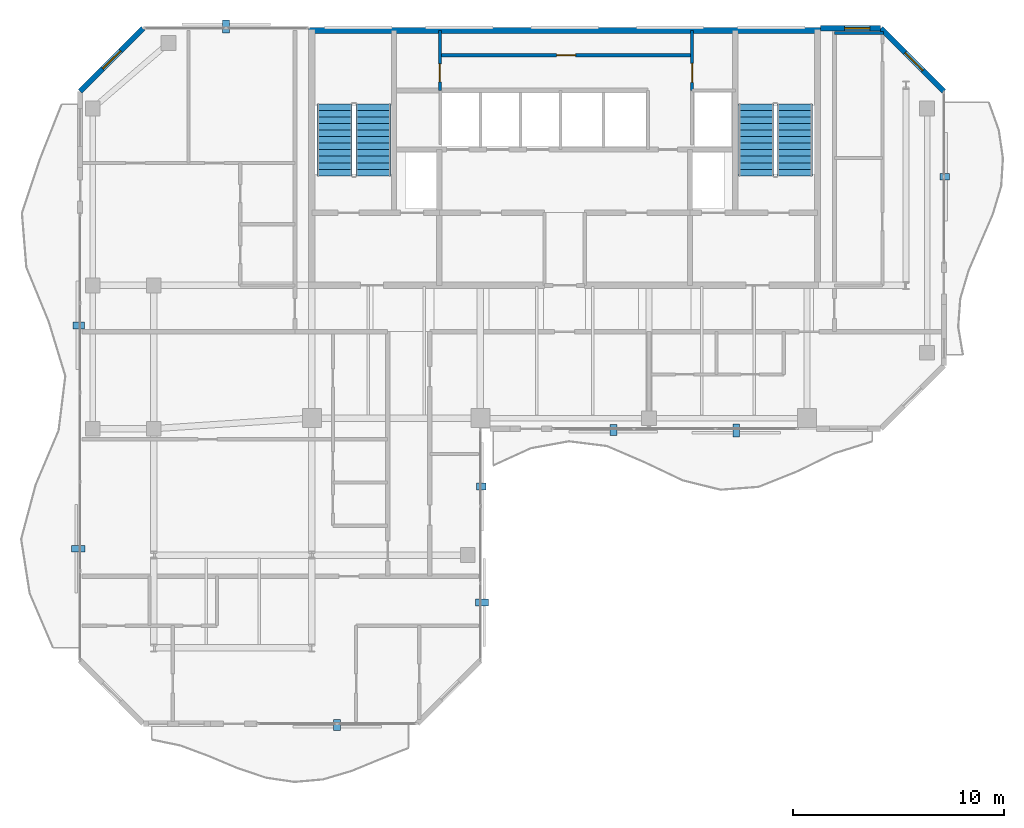
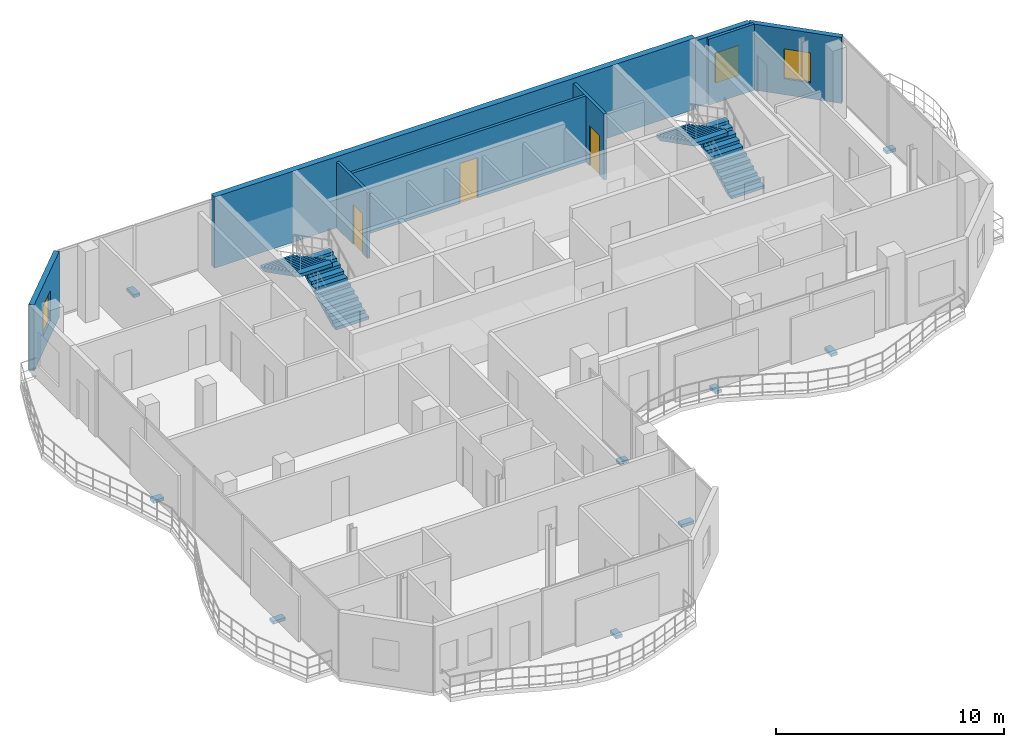
# One storey, part 20 of 22: 9 discrete accessories, 8 walls, 4 stair flights, 3 doors, 3 windows, 6 openings, 2 elements without a shape of their own.
"""IFC4 building model written with IfcOpenShell, lengths in metres."""

import ifcopenshell
import ifcopenshell.guid

model = None  # the IFC model being written
_history = None  # IfcOwnerHistory: only IFC2X3 demands one
_inside = {}  # id of a spatial element -> (the spatial element, [elements in it])
_under = {}  # id of a project, library or spatial element -> (it, [spatial elements below it])
_declared = {}  # id of a project -> (the project, [libraries it declares])
_typed = {}  # id of a type object -> (the type object, [elements of that type])
_made_of = {}  # id of a material, layer set ... -> (it, [elements and type objects made of it])


def new_model(schema):
    """Start an empty IFC model of exactly this schema.

    Asked for "IFC4X3", IfcOpenShell would pick the latest addendum, in which some entities
    have other attributes; the version numbers below select the first issue.
    IFC2X3 requires an IfcOwnerHistory on every rooted entity: one is made here for all.
    """
    global model, _history
    if schema == "IFC4X3":
        model = ifcopenshell.file(schema_version=(4, 3, 0, 0))
    else:
        model = ifcopenshell.file(schema=schema)
    _inside.clear()
    _under.clear()
    _declared.clear()
    _typed.clear()
    _made_of.clear()
    _history = None
    if model.schema == "IFC2X3":
        org = make("IfcOrganization", Name="unknown")
        user = make(
            "IfcPersonAndOrganization",
            ThePerson=make("IfcPerson", FamilyName="unknown"),
            TheOrganization=org,
        )
        app = make(
            "IfcApplication",
            ApplicationDeveloper=org,
            Version="unknown",
            ApplicationFullName="unknown",
            ApplicationIdentifier="unknown",
        )
        _history = make(
            "IfcOwnerHistory",
            OwningUser=user,
            OwningApplication=app,
            ChangeAction="ADDED",
            CreationDate=0,
        )
    return model


def make(cls, **values):
    """One entity of the class cls with the attributes given. An attribute that is None is left unset."""
    return model.create_entity(
        cls, **{name: value for name, value in values.items() if value is not None}
    )


def rooted(cls, **values):
    """An entity with a GlobalId (a new one), such as an element, a storey or a relation."""
    return make(cls, GlobalId=ifcopenshell.guid.new(), OwnerHistory=_history, **values)


def si_unit(unit_type, name, prefix=None):
    """IfcSIUnit, for example si_unit("LENGTHUNIT", "METRE", prefix="MILLI")."""
    return make("IfcSIUnit", UnitType=unit_type, Prefix=prefix, Name=name)


def assignment(units):
    """IfcUnitAssignment: the units of a project."""
    return None if units is None else make("IfcUnitAssignment", Units=units)


def point(xyz):
    """IfcCartesianPoint."""
    return None if xyz is None else make("IfcCartesianPoint", Coordinates=xyz)


def direction(xyz):
    """IfcDirection."""
    return None if xyz is None else make("IfcDirection", DirectionRatios=xyz)


def frame(location, z_axis=None, x_axis=None):
    """IfcAxis2Placement3D, a coordinate frame: its origin and axes. An axis left out is left unset."""
    return make(
        "IfcAxis2Placement3D",
        Location=point(location),
        Axis=direction(z_axis),
        RefDirection=direction(x_axis),
    )


def frame_2d(location, x_axis=None):
    """IfcAxis2Placement2D, a coordinate frame in the plane: its origin and x axis."""
    return make(
        "IfcAxis2Placement2D", Location=point(location), RefDirection=direction(x_axis)
    )


def origin():
    """The frame at (0, 0, 0) with its axes left unset."""
    return frame((0.0, 0.0, 0.0))


def origin_2d():
    """The frame at (0, 0) in the plane with its x axis left unset."""
    return frame_2d((0.0, 0.0))


def place(relative_to, where):
    """IfcLocalPlacement: puts the frame where relative to a parent placement (None: the world)."""
    return make(
        "IfcLocalPlacement", PlacementRelTo=relative_to, RelativePlacement=where
    )


def context(
    kind, dimensions, precision=None, world=None, true_north=None, identifier=None
):
    """IfcGeometricRepresentationContext, for example the 3D "Model" context."""
    return make(
        "IfcGeometricRepresentationContext",
        ContextIdentifier=identifier,
        ContextType=kind,
        CoordinateSpaceDimension=dimensions,
        Precision=precision,
        WorldCoordinateSystem=world,
        TrueNorth=true_north,
    )


def subcontext(parent, identifier, kind, view, scale=None):
    """IfcGeometricRepresentationSubContext, for example "Body" below "Model"."""
    return make(
        "IfcGeometricRepresentationSubContext",
        ContextIdentifier=identifier,
        ContextType=kind,
        ParentContext=parent,
        TargetScale=scale,
        TargetView=view,
    )


def project(units=None, contexts=None):
    """IfcProject with its units and contexts."""
    return rooted(
        "IfcProject",
        Name="project",
        RepresentationContexts=contexts,
        UnitsInContext=assignment(units),
    )


def spatial(cls, under=None, at=None, **own):
    """A site, building, storey or space (cls), placed at a placement, below another one or the project."""
    s = rooted(cls, ObjectPlacement=at, **own)
    if under is not None:
        _under.setdefault(under.id(), (under, []))[1].append(s)
    return s


def polyline(points):
    """IfcPolyline through the points."""
    return make("IfcPolyline", Points=[point(p) for p in points])


def profile(cls, at=None, kind="AREA", **sizes):
    """A parametric profile (cls). Its sizes go by their IFC names, for example OverallWidth=200.0."""
    return make(cls, ProfileType=kind, Position=at, **sizes)


def rectangle(**sizes):
    """IfcRectangleProfileDef."""
    return profile("IfcRectangleProfileDef", **sizes)


def outline(outer, holes=None, kind="AREA"):
    """IfcArbitraryClosedProfileDef: a profile drawn as a closed curve; with holes, ...WithVoids."""
    if holes is None:
        return make("IfcArbitraryClosedProfileDef", ProfileType=kind, OuterCurve=outer)
    return make(
        "IfcArbitraryProfileDefWithVoids",
        ProfileType=kind,
        OuterCurve=outer,
        InnerCurves=holes,
    )


def extrude(swept, where, along, depth):
    """IfcExtrudedAreaSolid: the profile swept, set in the frame where, extruded along a direction by depth."""
    return make(
        "IfcExtrudedAreaSolid",
        SweptArea=swept,
        Position=where,
        ExtrudedDirection=direction(along),
        Depth=depth,
    )


def shape(context_of_items, identifier, shape_type, items):
    """IfcShapeRepresentation: the items that make up one representation, for example the "Body"."""
    return make(
        "IfcShapeRepresentation",
        ContextOfItems=context_of_items,
        RepresentationIdentifier=identifier,
        RepresentationType=shape_type,
        Items=items,
    )


def material(Name=None, Category=None):
    """IfcMaterial."""
    return make("IfcMaterial", Name=Name, Category=Category)


def layer(
    of_material, thickness, ventilated=None, Name=None, Category=None, Priority=None
):
    """IfcMaterialLayer: one layer of a wall or slab, of a material (None: an air gap)."""
    return make(
        "IfcMaterialLayer",
        Material=of_material,
        LayerThickness=thickness,
        IsVentilated=ventilated,
        Name=Name,
        Category=Category,
        Priority=Priority,
    )


def layer_set(layers, Name=None):
    """IfcMaterialLayerSet."""
    return make("IfcMaterialLayerSet", MaterialLayers=layers, LayerSetName=Name)


def made_of(thing, what):
    """Note that an element or type object is made of a material, layer set ...; save() writes the relation."""
    if what is not None:
        _made_of.setdefault(what.id(), (what, []))[1].append(thing)
    return thing


def type_object(cls, material=None, **own):
    """A type object (cls), such as IfcWallType, which elements share."""
    return made_of(rooted(cls, **own), material)


def element(
    cls,
    number,
    at=None,
    inside=None,
    cuts=None,
    type_object=None,
    material=None,
    context=None,
    identifier="Body",
    shape_type=None,
    held_by="IfcProductDefinitionShape",
    body=None,
    shapes=None,
    **own,
):
    """One element of the class cls, such as IfcWall. Its Tag is "e" and its number.

    at: its placement. inside: the storey or other place that contains it. cuts: it is an
    opening in that element (IfcRelVoidsElement). A single representation is given by context,
    identifier, shape_type and body (its items); several are given by shapes. held_by: the class
    of the entity that holds the representations. save() writes the other relations.
    """
    e = rooted(cls, Tag="e%d" % number, ObjectPlacement=at, **own)
    if body is not None:
        shapes = [shape(context, identifier, shape_type, body)]
    if shapes is not None:
        e.Representation = make(held_by, Representations=shapes)
    if inside is not None:
        _inside.setdefault(inside.id(), (inside, []))[1].append(e)
    if cuts is not None:
        rooted(
            "IfcRelVoidsElement", RelatingBuildingElement=cuts, RelatedOpeningElement=e
        )
    if type_object is not None:
        _typed.setdefault(type_object.id(), (type_object, []))[1].append(e)
    return made_of(e, material)


def fill(opening, filler):
    """IfcRelFillsElement: the door or window that sits in an opening."""
    return rooted(
        "IfcRelFillsElement",
        RelatingOpeningElement=opening,
        RelatedBuildingElement=filler,
    )


def aggregate(whole, parts):
    """IfcRelAggregates: a whole, such as a stair, and the parts it consists of."""
    return rooted("IfcRelAggregates", RelatingObject=whole, RelatedObjects=parts)


def save(model, path):
    """Write the relations noted so far, then the file.

    IfcRelAggregates (storeys below a building ...), IfcRelContainedInSpatialStructure (elements
    in a storey), IfcRelDefinesByType, IfcRelAssociatesMaterial and IfcRelDeclares: one each for
    every whole, place, type object, material and project.
    """
    for whole, parts in _under.values():
        aggregate(whole, parts)
    for where, things in _inside.values():
        rooted(
            "IfcRelContainedInSpatialStructure",
            RelatedElements=things,
            RelatingStructure=where,
        )
    for kind, things in _typed.values():
        rooted("IfcRelDefinesByType", RelatedObjects=things, RelatingType=kind)
    for what, things in _made_of.values():
        rooted("IfcRelAssociatesMaterial", RelatedObjects=things, RelatingMaterial=what)
    for by, libraries in _declared.values():
        rooted("IfcRelDeclares", RelatingContext=by, RelatedDefinitions=libraries)
    model.write(path)


model = new_model("IFC4")

# Units and contexts
model_context = context("Model", 3, precision=1e-05, world=origin(), true_north=direction((0.0, 1.0)))
body_context = subcontext(model_context, "Body", "Model", "MODEL_VIEW")
ifc_project = project(units=[si_unit("LENGTHUNIT", "METRE"), si_unit("AREAUNIT", "SQUARE_METRE"), si_unit("VOLUMEUNIT", "CUBIC_METRE"), si_unit("PLANEANGLEUNIT", "RADIAN"), si_unit("MASSUNIT", "GRAM", prefix="KILO")], contexts=[model_context])

# Site, building, storey
site_placement = place(None, origin())
site = spatial("IfcSite", under=ifc_project, at=site_placement, CompositionType="ELEMENT")
building_placement = place(site_placement, origin())
building = spatial("IfcBuilding", under=site, at=building_placement, Name="Catumbela Crestline Tower", CompositionType="ELEMENT")
storey_placement = place(building_placement, frame((0.0, 0.0, 256.4)))
storey = spatial("IfcBuildingStorey", under=building, at=storey_placement, Name="L66", CompositionType="ELEMENT", Elevation=256.4)

# Wall
ifc_material_1 = material(Name="Concrete C45/55", Category="concrete")
ifc_layer_1 = layer(ifc_material_1, 0.3, Name="Concrete C45/55")
ifc_layer_set_1 = layer_set([ifc_layer_1], Name="Concrete C45/55")
wall_type_1 = type_object("IfcWallType", Name="CW-300E", PredefinedType="SHEAR", material=ifc_layer_set_1)
wall_1_placement = place(storey_placement, frame((15.85, 42.9, 0.0), z_axis=(0.0, 0.0, 1.0), x_axis=(1.0, 0.0, 0.0)))
element("IfcWall", 1, at=wall_1_placement, inside=storey, type_object=wall_type_1, Name="L66 Structural Core Shear Wall N", PredefinedType="SHEAR", context=body_context, shape_type="SweptSolid", body=[
    extrude(rectangle(XDim=24.3, YDim=0.3, at=frame_2d((12.15, 0.0))), origin(), (0.0, 0.0, 1.0), 3.8),
])

# Wall, opening, window
ifc_material_2 = material(Name="Angolan grey-ochre granite", Category="masonry")
ifc_layer_2 = layer(ifc_material_2, 0.25, Name="Angolan grey-ochre granite")
ifc_layer_set_2 = layer_set([ifc_layer_2], Name="Angolan grey-ochre granite")
wall_type_2 = type_object("IfcWallType", Name="WE-250", PredefinedType="STANDARD", material=ifc_layer_set_2)
wall_2_placement = place(storey_placement, frame((46.0, 40.0, 0.0), z_axis=(0.0, 0.0, 1.0), x_axis=(-0.707106781187, 0.707106781187, 0.0)))
wall_2 = element("IfcWall", 2, at=wall_2_placement, inside=storey, type_object=wall_type_2, Name="L66 Granite Punched Window Wall 6-1", PredefinedType="STANDARD", context=body_context, shape_type="SweptSolid", body=[
    extrude(rectangle(XDim=4.2426, YDim=0.25, at=frame_2d((2.1213, 0.0))), origin(), (0.0, 0.0, 1.0), 3.53),
])
opening_1_placement = place(wall_2_placement, frame((1.4111, 0.0, 0.85)))
opening_1 = element("IfcOpeningElement", 3, at=opening_1_placement, cuts=wall_2, Name="Opening WN-02", PredefinedType="OPENING", context=body_context, shape_type="SweptSolid", body=[
    extrude(rectangle(XDim=1.2, YDim=1.6, at=frame_2d((0.6, 0.8))), frame((0.0, 0.135, 0.0), z_axis=(0.0, -1.0, 0.0), x_axis=(1.0, 0.0, 0.0)), (0.0, 0.0, 1.0), 0.27),
])
ifc_material_3 = material(Name="Low-E laminated solar-control double glazing", Category="glass")
window_type = type_object("IfcWindowType", Name="WO-1200", PartitioningType="SINGLE_PANEL", PredefinedType="WINDOW", material=ifc_material_3)
window_1_placement = place(opening_1_placement, origin())
window_1 = element("IfcWindow", 4, at=window_1_placement, inside=storey, type_object=window_type, Name="L66 Facade Vision Window 510", OverallHeight=1.6, OverallWidth=1.2, PartitioningType="SINGLE_PANEL", PredefinedType="WINDOW", context=body_context, shape_type="SweptSolid", body=[
    extrude(rectangle(XDim=1.2, YDim=1.6, at=frame_2d((0.6, 0.8))), frame((0.0, 0.03, 0.0), z_axis=(0.0, -1.0, 0.0), x_axis=(1.0, 0.0, 0.0)), (0.0, 0.0, 1.0), 0.06),
])
fill(opening_1, window_1)

wall_3_placement = place(storey_placement, frame((43.0, 43.0, 0.0), z_axis=(0.0, 0.0, 1.0), x_axis=(-1.0, 0.0, 0.0)))
wall_3 = element("IfcWall", 5, at=wall_3_placement, inside=storey, type_object=wall_type_2, Name="L66 Granite Punched Window Wall 7-1", PredefinedType="STANDARD", context=body_context, shape_type="SweptSolid", body=[
    extrude(rectangle(XDim=2.86, YDim=0.25, at=frame_2d((1.43, 0.0))), origin(), (0.0, 0.0, 1.0), 3.53),
])
opening_2_placement = place(wall_3_placement, frame((0.51, 0.0, 0.85)))
opening_2 = element("IfcOpeningElement", 6, at=opening_2_placement, cuts=wall_3, Name="Opening WN-02", PredefinedType="OPENING", context=body_context, shape_type="SweptSolid", body=[
    extrude(rectangle(XDim=1.2, YDim=1.6, at=frame_2d((0.6, 0.8))), frame((0.0, 0.135, 0.0), z_axis=(0.0, -1.0, 0.0), x_axis=(1.0, 0.0, 0.0)), (0.0, 0.0, 1.0), 0.27),
])
window_2_placement = place(opening_2_placement, origin())
window_2 = element("IfcWindow", 7, at=window_2_placement, inside=storey, type_object=window_type, Name="L66 Facade Vision Window 511", OverallHeight=1.6, OverallWidth=1.2, PartitioningType="SINGLE_PANEL", PredefinedType="WINDOW", context=body_context, shape_type="SweptSolid", body=[
    extrude(rectangle(XDim=1.2, YDim=1.6, at=frame_2d((0.6, 0.8))), frame((0.0, 0.03, 0.0), z_axis=(0.0, -1.0, 0.0), x_axis=(1.0, 0.0, 0.0)), (0.0, 0.0, 1.0), 0.06),
])
fill(opening_2, window_2)

wall_4_placement = place(storey_placement, frame((8.0, 43.0, 0.0), z_axis=(0.0, 0.0, 1.0), x_axis=(-0.707106781187, -0.707106781187, 0.0)))
wall_4 = element("IfcWall", 8, at=wall_4_placement, inside=storey, type_object=wall_type_2, Name="L66 Granite Punched Window Wall 8-1", PredefinedType="STANDARD", context=body_context, shape_type="SweptSolid", body=[
    extrude(rectangle(XDim=4.2426, YDim=0.25, at=frame_2d((2.1213, 0.0))), origin(), (0.0, 0.0, 1.0), 3.53),
])
opening_3_placement = place(wall_4_placement, frame((1.5213, 0.0, 0.85)))
opening_3 = element("IfcOpeningElement", 9, at=opening_3_placement, cuts=wall_4, Name="Opening WN-02", PredefinedType="OPENING", context=body_context, shape_type="SweptSolid", body=[
    extrude(rectangle(XDim=1.2, YDim=1.6, at=frame_2d((0.6, 0.8))), frame((0.0, 0.135, 0.0), z_axis=(0.0, -1.0, 0.0), x_axis=(1.0, 0.0, 0.0)), (0.0, 0.0, 1.0), 0.27),
])
window_3_placement = place(opening_3_placement, origin())
window_3 = element("IfcWindow", 10, at=window_3_placement, inside=storey, type_object=window_type, Name="L66 Facade Vision Window 512", OverallHeight=1.6, OverallWidth=1.2, PartitioningType="SINGLE_PANEL", PredefinedType="WINDOW", context=body_context, shape_type="SweptSolid", body=[
    extrude(rectangle(XDim=1.2, YDim=1.6, at=frame_2d((0.6, 0.8))), frame((0.0, 0.03, 0.0), z_axis=(0.0, -1.0, 0.0), x_axis=(1.0, 0.0, 0.0)), (0.0, 0.0, 1.0), 0.06),
])
fill(opening_3, window_3)

# Wall, opening, door
ifc_material_4 = material(Name="Acoustic gypsum and mineral-wool partition")
ifc_layer_3 = layer(ifc_material_4, 0.15, Name="Acoustic gypsum and mineral-wool partition")
ifc_layer_set_3 = layer_set([ifc_layer_3], Name="Acoustic gypsum and mineral-wool partition")
wall_type_3 = type_object("IfcWallType", Name="WP-150", PredefinedType="PARTITIONING", material=ifc_layer_set_3)
wall_5_placement = place(storey_placement, frame((34.05, 40.05, 0.0), z_axis=(0.0, 0.0, 1.0), x_axis=(0.0, 1.0, 0.0)))
wall_5 = element("IfcWall", 11, at=wall_5_placement, inside=storey, type_object=wall_type_3, Name="L66 Interior Partition PW-L66-CR-EW", PredefinedType="PARTITIONING", context=body_context, shape_type="SweptSolid", body=[
    extrude(rectangle(XDim=2.85, YDim=0.15, at=frame_2d((1.425, 0.0))), origin(), (0.0, 0.0, 1.0), 3.53),
])
opening_4_placement = place(wall_5_placement, frame((0.385, 0.0, 0.0)))
opening_4 = element("IfcOpeningElement", 12, at=opening_4_placement, cuts=wall_5, Name="Opening DF9-090", PredefinedType="OPENING", context=body_context, shape_type="SweptSolid", body=[
    extrude(rectangle(XDim=0.9, YDim=2.15, at=frame_2d((0.45, 1.075))), frame((0.0, 0.085, 0.0), z_axis=(0.0, -1.0, 0.0), x_axis=(1.0, 0.0, 0.0)), (0.0, 0.0, 1.0), 0.17),
])
ifc_material_5 = material(Name="Stainless steel EN 1.4401", Category="steel")
door_type_1 = type_object("IfcDoorType", Name="DF9-090", OperationType="NOTDEFINED", PredefinedType="DOOR", material=ifc_material_5)
door_1_placement = place(opening_4_placement, origin())
door_1 = element("IfcDoor", 13, at=door_1_placement, inside=storey, type_object=door_type_1, Name="L66 Interior Door DR-L66-CREAST", OperationType="SINGLE_SWING_RIGHT", OverallHeight=2.15, OverallWidth=0.9, PredefinedType="DOOR", context=body_context, shape_type="SweptSolid", body=[
    extrude(rectangle(XDim=0.9, YDim=2.15, at=frame_2d((0.45, 1.075))), frame((0.0, 0.025, 0.0), z_axis=(0.0, -1.0, 0.0), x_axis=(1.0, 0.0, 0.0)), (0.0, 0.0, 1.0), 0.05),
])
fill(opening_4, door_1)

wall_6_placement = place(storey_placement, frame((22.08, 40.05, 0.0), z_axis=(0.0, 0.0, 1.0), x_axis=(0.0, 1.0, 0.0)))
wall_6 = element("IfcWall", 14, at=wall_6_placement, inside=storey, type_object=wall_type_3, Name="L66 Interior Partition PW-L66-CR-WCW", PredefinedType="PARTITIONING", context=body_context, shape_type="SweptSolid", body=[
    extrude(rectangle(XDim=2.85, YDim=0.15, at=frame_2d((1.425, 0.0))), origin(), (0.0, 0.0, 1.0), 3.53),
])
opening_5_placement = place(wall_6_placement, frame((0.41, 0.0, 0.0)))
opening_5 = element("IfcOpeningElement", 15, at=opening_5_placement, cuts=wall_6, Name="Opening DI-085", PredefinedType="OPENING", context=body_context, shape_type="SweptSolid", body=[
    extrude(rectangle(XDim=0.85, YDim=2.15, at=frame_2d((0.425, 1.075))), frame((0.0, 0.085, 0.0), z_axis=(0.0, -1.0, 0.0), x_axis=(1.0, 0.0, 0.0)), (0.0, 0.0, 1.0), 0.17),
])
ifc_material_6 = material(Name="Aluminium alloy AW-6060-T66", Category="aluminium")
door_type_2 = type_object("IfcDoorType", Name="DI-085", OperationType="NOTDEFINED", PredefinedType="DOOR", material=ifc_material_6)
door_2_placement = place(opening_5_placement, origin())
door_2 = element("IfcDoor", 16, at=door_2_placement, inside=storey, type_object=door_type_2, Name="L66 Interior Door DR-L66-CRWC", OperationType="SINGLE_SWING_LEFT", OverallHeight=2.15, OverallWidth=0.85, PredefinedType="DOOR", context=body_context, shape_type="SweptSolid", body=[
    extrude(rectangle(XDim=0.85, YDim=2.15, at=frame_2d((0.425, 1.075))), frame((0.0, 0.025, 0.0), z_axis=(0.0, -1.0, 0.0), x_axis=(1.0, 0.0, 0.0)), (0.0, 0.0, 1.0), 0.05),
])
fill(opening_5, door_2)

wall_7_placement = place(storey_placement, frame((22.08, 41.72, 0.0), z_axis=(0.0, 0.0, 1.0), x_axis=(1.0, 0.0, 0.0)))
wall_7 = element("IfcWall", 17, at=wall_7_placement, inside=storey, type_object=wall_type_3, Name="L66 Interior Partition PW-L66-CR-MID", PredefinedType="PARTITIONING", context=body_context, shape_type="SweptSolid", body=[
    extrude(rectangle(XDim=11.97, YDim=0.15, at=frame_2d((5.985, 0.0))), origin(), (0.0, 0.0, 1.0), 3.53),
])
opening_6_placement = place(wall_7_placement, frame((5.535, 0.0, 0.0)))
opening_6 = element("IfcOpeningElement", 18, at=opening_6_placement, cuts=wall_7, Name="Opening DF9-090", PredefinedType="OPENING", context=body_context, shape_type="SweptSolid", body=[
    extrude(rectangle(XDim=0.9, YDim=2.15, at=frame_2d((0.45, 1.075))), frame((0.0, 0.085, 0.0), z_axis=(0.0, -1.0, 0.0), x_axis=(1.0, 0.0, 0.0)), (0.0, 0.0, 1.0), 0.17),
])
door_3_placement = place(opening_6_placement, origin())
door_3 = element("IfcDoor", 19, at=door_3_placement, inside=storey, type_object=door_type_1, Name="L66 Interior Door DR-L66-CRMID", OperationType="SINGLE_SWING_LEFT", OverallHeight=2.15, OverallWidth=0.9, PredefinedType="DOOR", context=body_context, shape_type="SweptSolid", body=[
    extrude(rectangle(XDim=0.9, YDim=2.15, at=frame_2d((0.45, 1.075))), frame((0.0, 0.025, 0.0), z_axis=(0.0, -1.0, 0.0), x_axis=(1.0, 0.0, 0.0)), (0.0, 0.0, 1.0), 0.05),
])
fill(opening_6, door_3)

# Wall
wall_8_placement = place(storey_placement, frame((40.8, 42.78, 0.0), z_axis=(0.0, 0.0, 1.0), x_axis=(1.0, 0.0, 0.0)))
element("IfcWall", 20, at=wall_8_placement, inside=storey, type_object=wall_type_3, Name="L66 Interior Partition PW-L66-NE1-BTH-BCL-2", PredefinedType="PARTITIONING", context=body_context, shape_type="SweptSolid", body=[
    extrude(rectangle(XDim=2.32, YDim=0.15, at=frame_2d((1.16, 0.0))), origin(), (0.0, 0.0, 1.0), 3.53),
])

# Stair, stair flights
stair_type = type_object("IfcStairType", Name="ST-DLG", PredefinedType="HALF_TURN_STAIR", material=ifc_material_1)
stair_1_placement = place(storey_placement, origin())
stair_1 = element("IfcStair", 21, at=stair_1_placement, inside=storey, type_object=stair_type, Name="L66 West Core Pressurised Exit Stair ST-01", PredefinedType="HALF_TURN_STAIR")
stair_flight_type = type_object("IfcStairFlightType", Name="SF-1583", PredefinedType="STRAIGHT", material=ifc_material_1)
stair_flight_1_placement = place(storey_placement, frame((18.92, 36.0, 0.0), z_axis=(0.0, 0.0, 1.0), x_axis=(0.0, 1.0, 0.0)))
stair_flight_1 = element("IfcStairFlight", 22, at=stair_flight_1_placement, type_object=stair_flight_type, Name="ST-01 flight 1", NumberOfRisers=12, NumberOfTreads=11, PredefinedType="STRAIGHT", RiserHeight=0.158333333, TreadLength=0.31, context=body_context, shape_type="SweptSolid", body=[
    extrude(outline(polyline([(0.0, 0.0), (0.0, 0.1583), (0.31, 0.1583), (0.31, 0.3167), (0.62, 0.3167), (0.62, 0.475), (0.93, 0.475), (0.93, 0.6333), (1.24, 0.6333), (1.24, 0.7917), (1.55, 0.7917), (1.55, 0.95), (1.86, 0.95), (1.86, 1.1083), (2.17, 1.1083), (2.17, 1.2667), (2.48, 1.2667), (2.48, 1.425), (2.79, 1.425), (2.79, 1.5833), (3.1, 1.5833), (3.1, 1.7417), (3.41, 1.7417), (3.41, 1.9), (3.41, 1.562), (0.3518, 0.0), (0.0, 0.0)])), frame((0.0, 0.83, 0.0), z_axis=(0.0, -1.0, 0.0), x_axis=(1.0, 0.0, 0.0)), (0.0, 0.0, 1.0), 1.66),
])
stair_flight_2_placement = place(storey_placement, frame((17.08, 39.41, 1.9), z_axis=(0.0, 0.0, 1.0), x_axis=(0.0, -1.0, 0.0)))
stair_flight_2 = element("IfcStairFlight", 23, at=stair_flight_2_placement, type_object=stair_flight_type, Name="ST-01 flight 2", NumberOfRisers=12, NumberOfTreads=11, PredefinedType="STRAIGHT", RiserHeight=0.158333333, TreadLength=0.31, context=body_context, shape_type="SweptSolid", body=[
    extrude(outline(polyline([(0.0, 0.0), (0.0, 0.1583), (0.31, 0.1583), (0.31, 0.3167), (0.62, 0.3167), (0.62, 0.475), (0.93, 0.475), (0.93, 0.6333), (1.24, 0.6333), (1.24, 0.7917), (1.55, 0.7917), (1.55, 0.95), (1.86, 0.95), (1.86, 1.1083), (2.17, 1.1083), (2.17, 1.2667), (2.48, 1.2667), (2.48, 1.425), (2.79, 1.425), (2.79, 1.5833), (3.1, 1.5833), (3.1, 1.7417), (3.41, 1.7417), (3.41, 1.9), (3.41, 1.562), (0.3518, 0.0), (0.0, 0.0)])), frame((0.0, 0.83, 0.0), z_axis=(0.0, -1.0, 0.0), x_axis=(1.0, 0.0, 0.0)), (0.0, 0.0, 1.0), 1.66),
])
aggregate(stair_1, [stair_flight_1, stair_flight_2])

stair_2_placement = place(storey_placement, origin())
stair_2 = element("IfcStair", 24, at=stair_2_placement, inside=storey, type_object=stair_type, Name="L66 East Core Pressurised Exit Stair ST-02", PredefinedType="HALF_TURN_STAIR")
stair_flight_3_placement = place(storey_placement, frame((38.92, 36.0, 0.0), z_axis=(0.0, 0.0, 1.0), x_axis=(0.0, 1.0, 0.0)))
stair_flight_3 = element("IfcStairFlight", 25, at=stair_flight_3_placement, type_object=stair_flight_type, Name="ST-02 flight 1", NumberOfRisers=12, NumberOfTreads=11, PredefinedType="STRAIGHT", RiserHeight=0.158333333, TreadLength=0.31, context=body_context, shape_type="SweptSolid", body=[
    extrude(outline(polyline([(0.0, 0.0), (0.0, 0.1583), (0.31, 0.1583), (0.31, 0.3167), (0.62, 0.3167), (0.62, 0.475), (0.93, 0.475), (0.93, 0.6333), (1.24, 0.6333), (1.24, 0.7917), (1.55, 0.7917), (1.55, 0.95), (1.86, 0.95), (1.86, 1.1083), (2.17, 1.1083), (2.17, 1.2667), (2.48, 1.2667), (2.48, 1.425), (2.79, 1.425), (2.79, 1.5833), (3.1, 1.5833), (3.1, 1.7417), (3.41, 1.7417), (3.41, 1.9), (3.41, 1.562), (0.3518, 0.0), (0.0, 0.0)])), frame((0.0, 0.83, 0.0), z_axis=(0.0, -1.0, 0.0), x_axis=(1.0, 0.0, 0.0)), (0.0, 0.0, 1.0), 1.66),
])
stair_flight_4_placement = place(storey_placement, frame((37.08, 39.41, 1.9), z_axis=(0.0, 0.0, 1.0), x_axis=(0.0, -1.0, 0.0)))
stair_flight_4 = element("IfcStairFlight", 26, at=stair_flight_4_placement, type_object=stair_flight_type, Name="ST-02 flight 2", NumberOfRisers=12, NumberOfTreads=11, PredefinedType="STRAIGHT", RiserHeight=0.158333333, TreadLength=0.31, context=body_context, shape_type="SweptSolid", body=[
    extrude(outline(polyline([(0.0, 0.0), (0.0, 0.1583), (0.31, 0.1583), (0.31, 0.3167), (0.62, 0.3167), (0.62, 0.475), (0.93, 0.475), (0.93, 0.6333), (1.24, 0.6333), (1.24, 0.7917), (1.55, 0.7917), (1.55, 0.95), (1.86, 0.95), (1.86, 1.1083), (2.17, 1.1083), (2.17, 1.2667), (2.48, 1.2667), (2.48, 1.425), (2.79, 1.425), (2.79, 1.5833), (3.1, 1.5833), (3.1, 1.7417), (3.41, 1.7417), (3.41, 1.9), (3.41, 1.562), (0.3518, 0.0), (0.0, 0.0)])), frame((0.0, 0.83, 0.0), z_axis=(0.0, -1.0, 0.0), x_axis=(1.0, 0.0, 0.0)), (0.0, 0.0, 1.0), 1.66),
])
aggregate(stair_2, [stair_flight_3, stair_flight_4])

# Discrete accessories
discrete_accessory_type = type_object("IfcDiscreteAccessoryType", Name="BK-SS1", PredefinedType="BRACKET", material=ifc_material_5)
discrete_accessory_1_placement = place(storey_placement, frame((17.2, 9.935, -0.18), z_axis=(0.0, 0.0, 1.0), x_axis=(1.0, 0.0, 0.0)))
element("IfcDiscreteAccessory", 27, at=discrete_accessory_1_placement, inside=storey, type_object=discrete_accessory_type, Name="L66 Solar Screen Stainless Bracket 801", PredefinedType="BRACKET", context=body_context, shape_type="SweptSolid", body=[
    extrude(rectangle(XDim=0.32, YDim=0.54, at=origin_2d()), origin(), (0.0, 0.0, 1.0), 0.16),
])
discrete_accessory_2_placement = place(storey_placement, frame((24.085, 15.75, -0.18), z_axis=(0.0, 0.0, 1.0), x_axis=(0.0, 1.0, 0.0)))
element("IfcDiscreteAccessory", 28, at=discrete_accessory_2_placement, inside=storey, type_object=discrete_accessory_type, Name="L66 Solar Screen Stainless Bracket 802", PredefinedType="BRACKET", context=body_context, shape_type="SweptSolid", body=[
    extrude(rectangle(XDim=0.32, YDim=0.62, at=origin_2d()), origin(), (0.0, 0.0, 1.0), 0.16),
])
discrete_accessory_3_placement = place(storey_placement, frame((24.045, 21.25, -0.18), z_axis=(0.0, 0.0, 1.0), x_axis=(0.0, 1.0, 0.0)))
element("IfcDiscreteAccessory", 29, at=discrete_accessory_3_placement, inside=storey, type_object=discrete_accessory_type, Name="L66 Solar Screen Stainless Bracket 803", PredefinedType="BRACKET", context=body_context, shape_type="SweptSolid", body=[
    extrude(rectangle(XDim=0.32, YDim=0.46, at=origin_2d()), origin(), (0.0, 0.0, 1.0), 0.16),
])
discrete_accessory_4_placement = place(storey_placement, frame((30.3125, 23.935, -0.18), z_axis=(0.0, 0.0, 1.0), x_axis=(1.0, 0.0, 0.0)))
element("IfcDiscreteAccessory", 30, at=discrete_accessory_4_placement, inside=storey, type_object=discrete_accessory_type, Name="L66 Solar Screen Stainless Bracket 804", PredefinedType="BRACKET", context=body_context, shape_type="SweptSolid", body=[
    extrude(rectangle(XDim=0.32, YDim=0.54, at=origin_2d()), origin(), (0.0, 0.0, 1.0), 0.16),
])
discrete_accessory_5_placement = place(storey_placement, frame((36.1375, 23.915, -0.18), z_axis=(0.0, 0.0, 1.0), x_axis=(1.0, 0.0, 0.0)))
element("IfcDiscreteAccessory", 31, at=discrete_accessory_5_placement, inside=storey, type_object=discrete_accessory_type, Name="L66 Solar Screen Stainless Bracket 805", PredefinedType="BRACKET", context=body_context, shape_type="SweptSolid", body=[
    extrude(rectangle(XDim=0.32, YDim=0.62, at=origin_2d()), origin(), (0.0, 0.0, 1.0), 0.16),
])
discrete_accessory_6_placement = place(storey_placement, frame((46.045, 35.95, -0.18), z_axis=(0.0, 0.0, 1.0), x_axis=(0.0, 1.0, 0.0)))
element("IfcDiscreteAccessory", 32, at=discrete_accessory_6_placement, inside=storey, type_object=discrete_accessory_type, Name="L66 Solar Screen Stainless Bracket 806", PredefinedType="BRACKET", context=body_context, shape_type="SweptSolid", body=[
    extrude(rectangle(XDim=0.32, YDim=0.46, at=origin_2d()), origin(), (0.0, 0.0, 1.0), 0.16),
])
discrete_accessory_7_placement = place(storey_placement, frame((11.93, 43.085, -0.18), z_axis=(0.0, 0.0, 1.0), x_axis=(-1.0, 0.0, 0.0)))
element("IfcDiscreteAccessory", 33, at=discrete_accessory_7_placement, inside=storey, type_object=discrete_accessory_type, Name="L66 Solar Screen Stainless Bracket 807", PredefinedType="BRACKET", context=body_context, shape_type="SweptSolid", body=[
    extrude(rectangle(XDim=0.32, YDim=0.62, at=origin_2d()), origin(), (0.0, 0.0, 1.0), 0.16),
])
discrete_accessory_8_placement = place(storey_placement, frame((4.935, 28.9, -0.18), z_axis=(0.0, 0.0, 1.0), x_axis=(0.0, -1.0, 0.0)))
element("IfcDiscreteAccessory", 34, at=discrete_accessory_8_placement, inside=storey, type_object=discrete_accessory_type, Name="L66 Solar Screen Stainless Bracket 808", PredefinedType="BRACKET", context=body_context, shape_type="SweptSolid", body=[
    extrude(rectangle(XDim=0.32, YDim=0.54, at=origin_2d()), origin(), (0.0, 0.0, 1.0), 0.16),
])
discrete_accessory_9_placement = place(storey_placement, frame((4.915, 18.3, -0.18), z_axis=(0.0, 0.0, 1.0), x_axis=(0.0, -1.0, 0.0)))
element("IfcDiscreteAccessory", 35, at=discrete_accessory_9_placement, inside=storey, type_object=discrete_accessory_type, Name="L66 Solar Screen Stainless Bracket 809", PredefinedType="BRACKET", context=body_context, shape_type="SweptSolid", body=[
    extrude(rectangle(XDim=0.32, YDim=0.62, at=origin_2d()), origin(), (0.0, 0.0, 1.0), 0.16),
])

save(model, "model.ifc")
